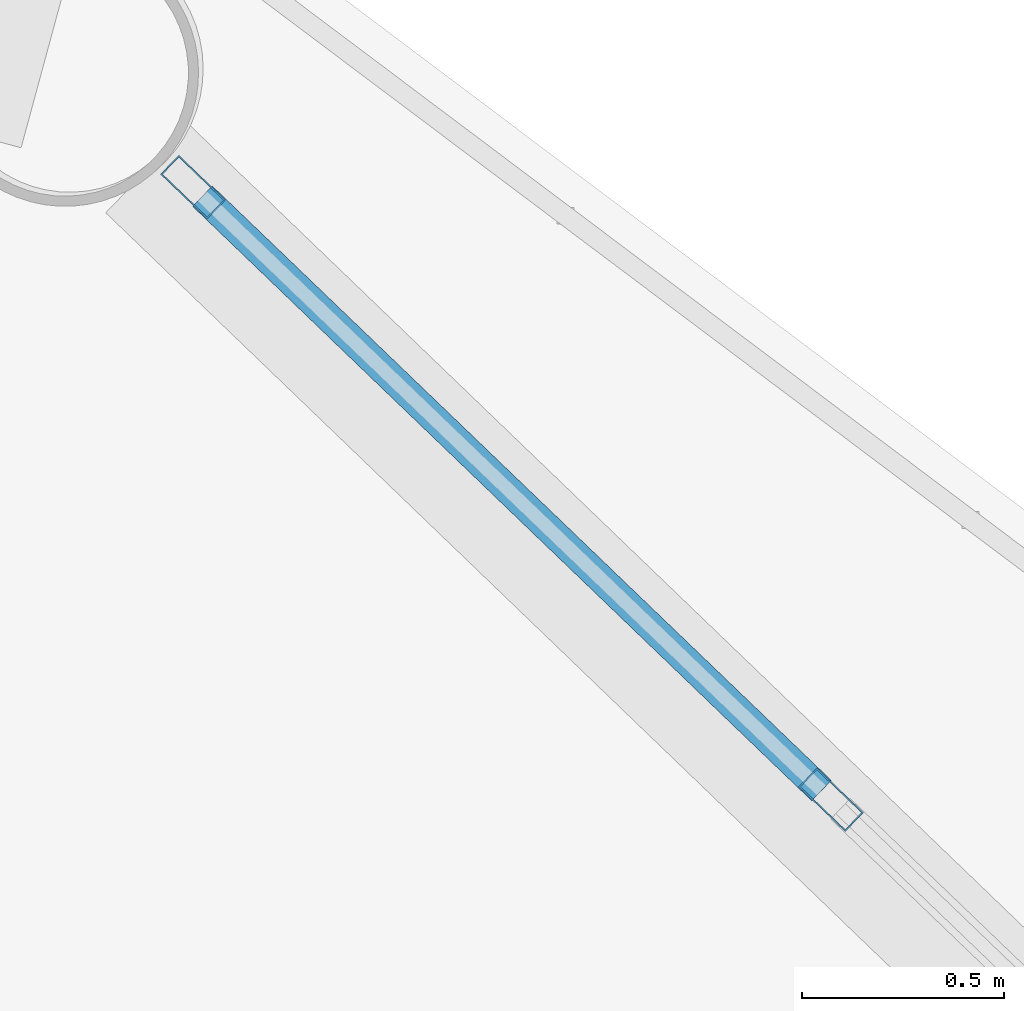
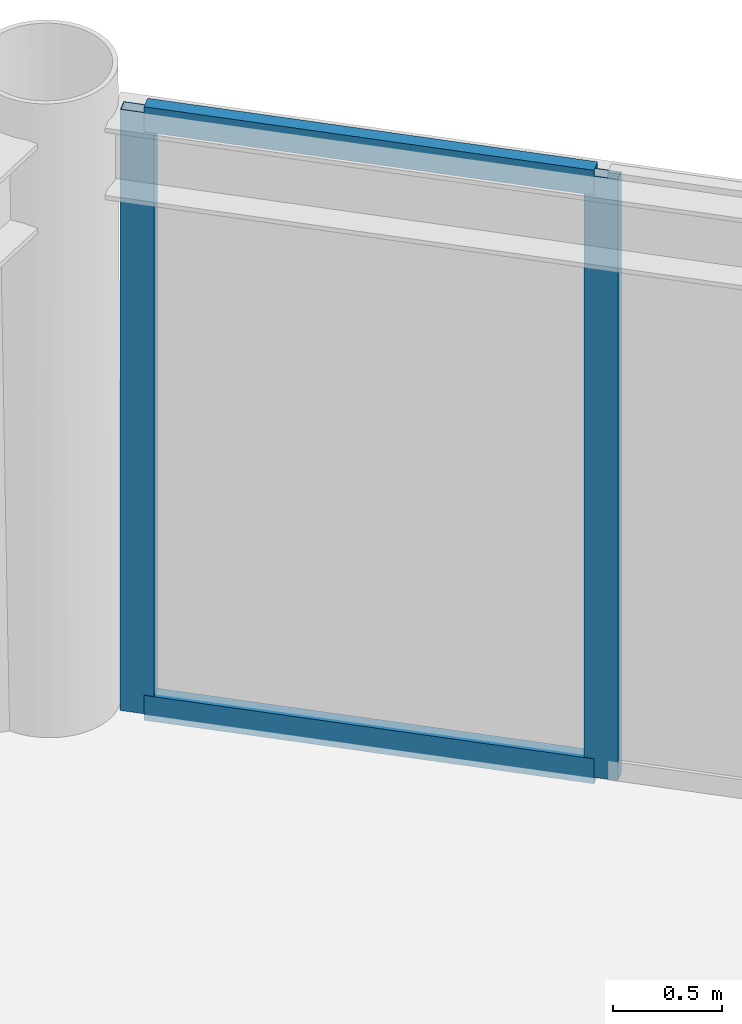
# One storey, part 21 of 28: 4 members, 1 element without a shape of its own.
"""IFC4 building model written with IfcOpenShell, lengths in metres."""

import ifcopenshell
import ifcopenshell.guid

model = None  # the IFC model being written
_history = None  # IfcOwnerHistory: only IFC2X3 demands one
_inside = {}  # id of a spatial element -> (the spatial element, [elements in it])
_under = {}  # id of a project, library or spatial element -> (it, [spatial elements below it])
_declared = {}  # id of a project -> (the project, [libraries it declares])
_typed = {}  # id of a type object -> (the type object, [elements of that type])
_made_of = {}  # id of a material, layer set ... -> (it, [elements and type objects made of it])


def new_model(schema):
    """Start an empty IFC model of exactly this schema.

    Asked for "IFC4X3", IfcOpenShell would pick the latest addendum, in which some entities
    have other attributes; the version numbers below select the first issue.
    IFC2X3 requires an IfcOwnerHistory on every rooted entity: one is made here for all.
    """
    global model, _history
    if schema == "IFC4X3":
        model = ifcopenshell.file(schema_version=(4, 3, 0, 0))
    else:
        model = ifcopenshell.file(schema=schema)
    _inside.clear()
    _under.clear()
    _declared.clear()
    _typed.clear()
    _made_of.clear()
    _history = None
    if model.schema == "IFC2X3":
        org = make("IfcOrganization", Name="unknown")
        user = make(
            "IfcPersonAndOrganization",
            ThePerson=make("IfcPerson", FamilyName="unknown"),
            TheOrganization=org,
        )
        app = make(
            "IfcApplication",
            ApplicationDeveloper=org,
            Version="unknown",
            ApplicationFullName="unknown",
            ApplicationIdentifier="unknown",
        )
        _history = make(
            "IfcOwnerHistory",
            OwningUser=user,
            OwningApplication=app,
            ChangeAction="ADDED",
            CreationDate=0,
        )
    return model


def make(cls, **values):
    """One entity of the class cls with the attributes given. An attribute that is None is left unset."""
    return model.create_entity(
        cls, **{name: value for name, value in values.items() if value is not None}
    )


def rooted(cls, **values):
    """An entity with a GlobalId (a new one), such as an element, a storey or a relation."""
    return make(cls, GlobalId=ifcopenshell.guid.new(), OwnerHistory=_history, **values)


def si_unit(unit_type, name, prefix=None):
    """IfcSIUnit, for example si_unit("LENGTHUNIT", "METRE", prefix="MILLI")."""
    return make("IfcSIUnit", UnitType=unit_type, Prefix=prefix, Name=name)


def assignment(units):
    """IfcUnitAssignment: the units of a project."""
    return None if units is None else make("IfcUnitAssignment", Units=units)


def point(xyz):
    """IfcCartesianPoint."""
    return None if xyz is None else make("IfcCartesianPoint", Coordinates=xyz)


def direction(xyz):
    """IfcDirection."""
    return None if xyz is None else make("IfcDirection", DirectionRatios=xyz)


def frame(location, z_axis=None, x_axis=None):
    """IfcAxis2Placement3D, a coordinate frame: its origin and axes. An axis left out is left unset."""
    return make(
        "IfcAxis2Placement3D",
        Location=point(location),
        Axis=direction(z_axis),
        RefDirection=direction(x_axis),
    )


def frame_2d(location, x_axis=None):
    """IfcAxis2Placement2D, a coordinate frame in the plane: its origin and x axis."""
    return make(
        "IfcAxis2Placement2D", Location=point(location), RefDirection=direction(x_axis)
    )


def origin():
    """The frame at (0, 0, 0) with its axes left unset."""
    return frame((0.0, 0.0, 0.0))


def origin_2d():
    """The frame at (0, 0) in the plane with its x axis left unset."""
    return frame_2d((0.0, 0.0))


def place(relative_to, where):
    """IfcLocalPlacement: puts the frame where relative to a parent placement (None: the world)."""
    return make(
        "IfcLocalPlacement", PlacementRelTo=relative_to, RelativePlacement=where
    )


def context(
    kind, dimensions, precision=None, world=None, true_north=None, identifier=None
):
    """IfcGeometricRepresentationContext, for example the 3D "Model" context."""
    return make(
        "IfcGeometricRepresentationContext",
        ContextIdentifier=identifier,
        ContextType=kind,
        CoordinateSpaceDimension=dimensions,
        Precision=precision,
        WorldCoordinateSystem=world,
        TrueNorth=true_north,
    )


def subcontext(parent, identifier, kind, view, scale=None):
    """IfcGeometricRepresentationSubContext, for example "Body" below "Model"."""
    return make(
        "IfcGeometricRepresentationSubContext",
        ContextIdentifier=identifier,
        ContextType=kind,
        ParentContext=parent,
        TargetScale=scale,
        TargetView=view,
    )


def project(units=None, contexts=None):
    """IfcProject with its units and contexts."""
    return rooted(
        "IfcProject",
        Name="project",
        RepresentationContexts=contexts,
        UnitsInContext=assignment(units),
    )


def spatial(cls, under=None, at=None, **own):
    """A site, building, storey or space (cls), placed at a placement, below another one or the project."""
    s = rooted(cls, ObjectPlacement=at, **own)
    if under is not None:
        _under.setdefault(under.id(), (under, []))[1].append(s)
    return s


def profile(cls, at=None, kind="AREA", **sizes):
    """A parametric profile (cls). Its sizes go by their IFC names, for example OverallWidth=200.0."""
    return make(cls, ProfileType=kind, Position=at, **sizes)


def hollow_rectangle(**sizes):
    """IfcRectangleHollowProfileDef."""
    return profile("IfcRectangleHollowProfileDef", **sizes)


def extrude(swept, where, along, depth):
    """IfcExtrudedAreaSolid: the profile swept, set in the frame where, extruded along a direction by depth."""
    return make(
        "IfcExtrudedAreaSolid",
        SweptArea=swept,
        Position=where,
        ExtrudedDirection=direction(along),
        Depth=depth,
    )


def shape(context_of_items, identifier, shape_type, items):
    """IfcShapeRepresentation: the items that make up one representation, for example the "Body"."""
    return make(
        "IfcShapeRepresentation",
        ContextOfItems=context_of_items,
        RepresentationIdentifier=identifier,
        RepresentationType=shape_type,
        Items=items,
    )


def material(Name=None, Category=None):
    """IfcMaterial."""
    return make("IfcMaterial", Name=Name, Category=Category)


def layer(
    of_material, thickness, ventilated=None, Name=None, Category=None, Priority=None
):
    """IfcMaterialLayer: one layer of a wall or slab, of a material (None: an air gap)."""
    return make(
        "IfcMaterialLayer",
        Material=of_material,
        LayerThickness=thickness,
        IsVentilated=ventilated,
        Name=Name,
        Category=Category,
        Priority=Priority,
    )


def layer_set(layers, Name=None):
    """IfcMaterialLayerSet."""
    return make("IfcMaterialLayerSet", MaterialLayers=layers, LayerSetName=Name)


def material_profile(
    of_material, cross_section, Name=None, Category=None, Priority=None
):
    """IfcMaterialProfile: a cross section and its material."""
    return make(
        "IfcMaterialProfile",
        Name=Name,
        Material=of_material,
        Profile=cross_section,
        Priority=Priority,
        Category=Category,
    )


def profile_set(profiles, Name=None, composite=None):
    """IfcMaterialProfileSet."""
    return make(
        "IfcMaterialProfileSet",
        Name=Name,
        MaterialProfiles=profiles,
        CompositeProfile=composite,
    )


def made_of(thing, what):
    """Note that an element or type object is made of a material, layer set ...; save() writes the relation."""
    if what is not None:
        _made_of.setdefault(what.id(), (what, []))[1].append(thing)
    return thing


def type_object(cls, material=None, **own):
    """A type object (cls), such as IfcWallType, which elements share."""
    return made_of(rooted(cls, **own), material)


def element(
    cls,
    number,
    at=None,
    inside=None,
    cuts=None,
    type_object=None,
    material=None,
    context=None,
    identifier="Body",
    shape_type=None,
    held_by="IfcProductDefinitionShape",
    body=None,
    shapes=None,
    **own,
):
    """One element of the class cls, such as IfcWall. Its Tag is "e" and its number.

    at: its placement. inside: the storey or other place that contains it. cuts: it is an
    opening in that element (IfcRelVoidsElement). A single representation is given by context,
    identifier, shape_type and body (its items); several are given by shapes. held_by: the class
    of the entity that holds the representations. save() writes the other relations.
    """
    e = rooted(cls, Tag="e%d" % number, ObjectPlacement=at, **own)
    if body is not None:
        shapes = [shape(context, identifier, shape_type, body)]
    if shapes is not None:
        e.Representation = make(held_by, Representations=shapes)
    if inside is not None:
        _inside.setdefault(inside.id(), (inside, []))[1].append(e)
    if cuts is not None:
        rooted(
            "IfcRelVoidsElement", RelatingBuildingElement=cuts, RelatedOpeningElement=e
        )
    if type_object is not None:
        _typed.setdefault(type_object.id(), (type_object, []))[1].append(e)
    return made_of(e, material)


def aggregate(whole, parts):
    """IfcRelAggregates: a whole, such as a stair, and the parts it consists of."""
    return rooted("IfcRelAggregates", RelatingObject=whole, RelatedObjects=parts)


def save(model, path):
    """Write the relations noted so far, then the file.

    IfcRelAggregates (storeys below a building ...), IfcRelContainedInSpatialStructure (elements
    in a storey), IfcRelDefinesByType, IfcRelAssociatesMaterial and IfcRelDeclares: one each for
    every whole, place, type object, material and project.
    """
    for whole, parts in _under.values():
        aggregate(whole, parts)
    for where, things in _inside.values():
        rooted(
            "IfcRelContainedInSpatialStructure",
            RelatedElements=things,
            RelatingStructure=where,
        )
    for kind, things in _typed.values():
        rooted("IfcRelDefinesByType", RelatedObjects=things, RelatingType=kind)
    for what, things in _made_of.values():
        rooted("IfcRelAssociatesMaterial", RelatedObjects=things, RelatingMaterial=what)
    for by, libraries in _declared.values():
        rooted("IfcRelDeclares", RelatingContext=by, RelatedDefinitions=libraries)
    model.write(path)


model = new_model("IFC4")

# Units and contexts
model_context = context("Model", 3, precision=1e-05, world=origin(), true_north=direction((0.0, 1.0)))
body_context = subcontext(model_context, "Body", "Model", "MODEL_VIEW")
ifc_project = project(units=[si_unit("LENGTHUNIT", "METRE"), si_unit("AREAUNIT", "SQUARE_METRE"), si_unit("VOLUMEUNIT", "CUBIC_METRE"), si_unit("PLANEANGLEUNIT", "RADIAN"), si_unit("MASSUNIT", "GRAM", prefix="KILO")], contexts=[model_context])

# Site, building, storey
site_placement = place(None, origin())
site = spatial("IfcSite", under=ifc_project, at=site_placement, CompositionType="ELEMENT")
building_placement = place(site_placement, origin())
building = spatial("IfcBuilding", under=site, at=building_placement, Name="Varnakorn Sky Granary", CompositionType="ELEMENT")
storey_placement = place(building_placement, frame((0.0, 0.0, 211.199951171875)))
storey = spatial("IfcBuildingStorey", under=building, at=storey_placement, Name="L53", CompositionType="ELEMENT", Elevation=211.199951171875)

# Curtain wall, members
ifc_material = material(Name="Anodised Bronze Aluminium Alloy 6063-T6", Category="aluminium")
ifc_layer = layer(ifc_material, 0.169921875, Name="Anodised Bronze Aluminium Alloy 6063-T6")
ifc_layer_set = layer_set([ifc_layer], Name="Anodised Bronze Aluminium Alloy 6063-T6")
curtain_wall_type = type_object("IfcCurtainWallType", Name="CW-LAB-1", PredefinedType="USERDEFINED", material=ifc_layer_set)
curtain_wall_placement = place(storey_placement, origin())
curtain_wall = element("IfcCurtainWall", 1, at=curtain_wall_placement, inside=storey, type_object=curtain_wall_type, Name="Unitised Curtain Wall CW5 CW-L53-B02", ObjectType="CURTAIN WALL", PredefinedType="USERDEFINED")
ifc_material_profile_1 = material_profile(ifc_material, hollow_rectangle(XDim=0.06494140625, YDim=0.159912109375, WallThickness=0.00341796875, at=origin_2d()), Name="ALU MULL 65x160")
ifc_profile_set_1 = profile_set([ifc_material_profile_1], Name="Anodised Bronze Aluminium Alloy 6063-T6")
member_type_1 = type_object("IfcMemberType", Name="CW-LAB-1-MULL", PredefinedType="MULLION", material=ifc_profile_set_1)
member_1_placement = place(storey_placement, frame((14.673828125, 15.534912109375, 0.0), z_axis=(0.0, 0.0, 1.0), x_axis=(0.692516121649, 0.721402398982, 0.0)))
member_1 = element("IfcMember", 2, at=member_1_placement, type_object=member_type_1, Name="CW5 mullion 1", PredefinedType="MULLION", context=body_context, shape_type="SweptSolid", body=[
    extrude(hollow_rectangle(XDim=0.06494140625, YDim=0.159912109375, WallThickness=0.00341796875, at=origin_2d()), origin(), (0.0, 0.0, 1.0), 3.360107421875),
])
member_2_placement = place(storey_placement, frame((16.251708984375, 14.02001953125, 0.0), z_axis=(0.0, 0.0, 1.0), x_axis=(0.692516121649, 0.721402398982, 0.0)))
member_2 = element("IfcMember", 3, at=member_2_placement, type_object=member_type_1, Name="CW5 mullion 2", PredefinedType="MULLION", context=body_context, shape_type="SweptSolid", body=[
    extrude(hollow_rectangle(XDim=0.06494140625, YDim=0.159912109375, WallThickness=0.00341796875, at=origin_2d()), origin(), (0.0, 0.0, 1.0), 3.360107421875),
])
ifc_material_profile_2 = material_profile(ifc_material, hollow_rectangle(XDim=0.070068359375, YDim=0.139892578125, WallThickness=0.00341796875, at=origin_2d()), Name="ALU TRAN 70x140")
ifc_profile_set_2 = profile_set([ifc_material_profile_2], Name="Anodised Bronze Aluminium Alloy 6063-T6")
member_type_2 = type_object("IfcMemberType", Name="CW-LAB-1-TRAN", PredefinedType="USERDEFINED", material=ifc_profile_set_2)
member_3_placement = place(storey_placement, frame((14.697265625, 15.512451171875, 0.03515625), z_axis=(0.721339047848, -0.692582109248, 0.0), x_axis=(0.692582109248, 0.721339047848, 0.0)))
member_3 = element("IfcMember", 4, at=member_3_placement, type_object=member_type_2, Name="CW5 transom 1.1", ObjectType="TRANSOM", PredefinedType="USERDEFINED", context=body_context, shape_type="SweptSolid", body=[
    extrude(hollow_rectangle(XDim=0.070068359375, YDim=0.139892578125, WallThickness=0.00341796875, at=origin_2d()), origin(), (0.0, 0.0, 1.0), 2.12255859375),
])
member_4_placement = place(storey_placement, frame((14.697265625, 15.512451171875, 3.324951171875), z_axis=(0.721339047848, -0.692582109248, 0.0), x_axis=(0.692582109248, 0.721339047848, 0.0)))
member_4 = element("IfcMember", 5, at=member_4_placement, type_object=member_type_2, Name="CW5 transom 1.2", ObjectType="TRANSOM", PredefinedType="USERDEFINED", context=body_context, shape_type="SweptSolid", body=[
    extrude(hollow_rectangle(XDim=0.070068359375, YDim=0.139892578125, WallThickness=0.00341796875, at=origin_2d()), origin(), (0.0, 0.0, 1.0), 2.12255859375),
])
aggregate(curtain_wall, [member_1, member_2, member_3, member_4])

save(model, "model.ifc")
